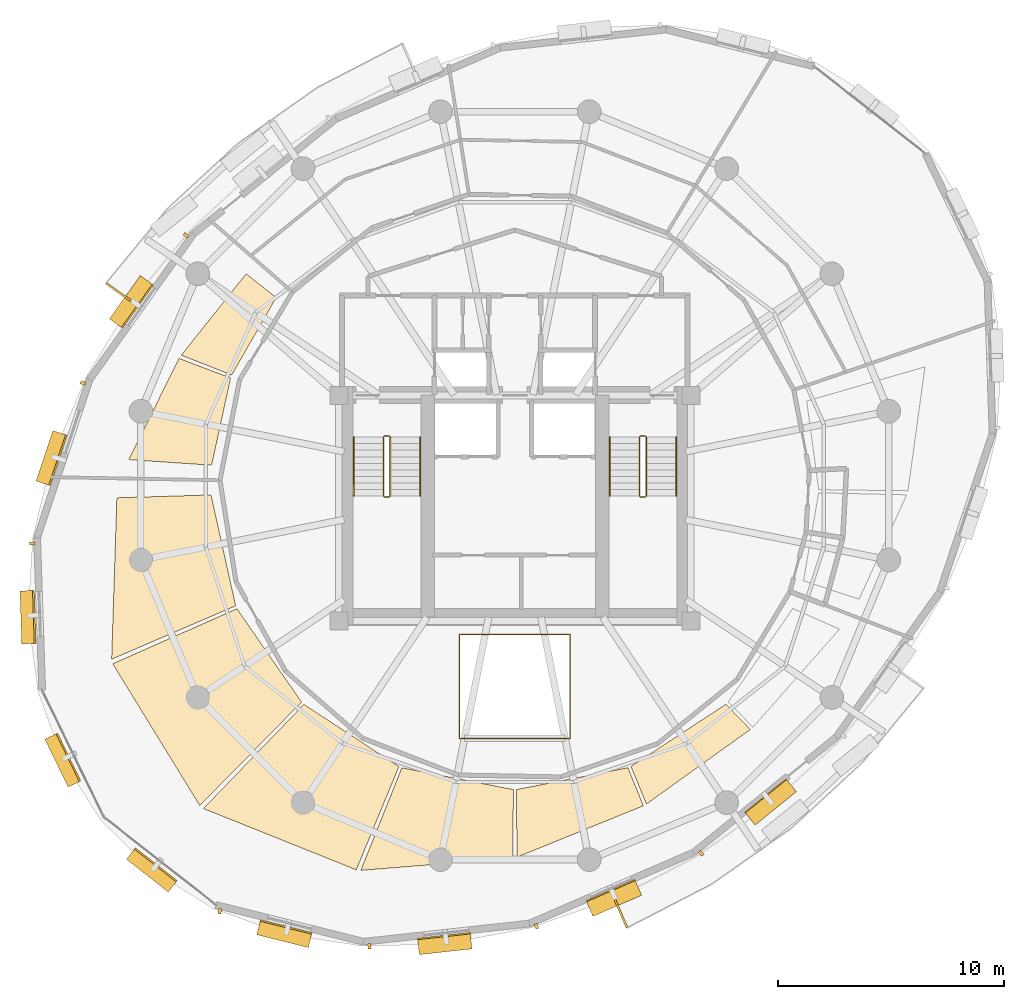
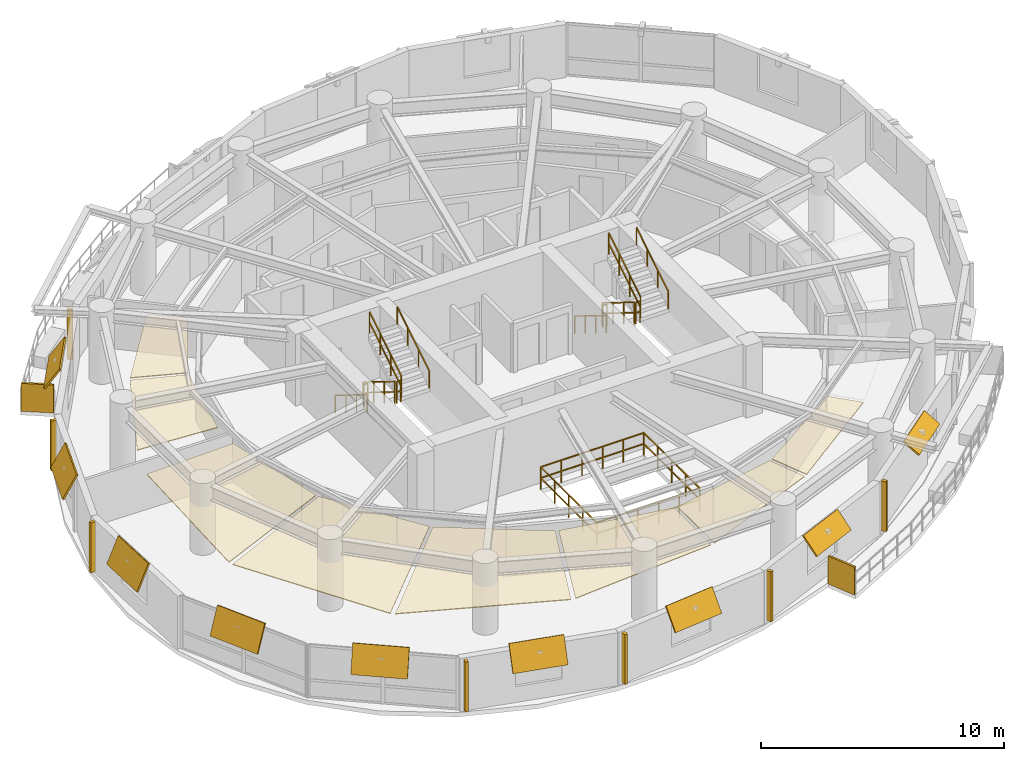
# One storey, part 11 of 12: 18 shading devices, 13 railings, 8 coverings.
"""IFC4 building model written with IfcOpenShell, lengths in metres."""

import ifcopenshell
import ifcopenshell.guid

model = None  # the IFC model being written
_history = None  # IfcOwnerHistory: only IFC2X3 demands one
_inside = {}  # id of a spatial element -> (the spatial element, [elements in it])
_under = {}  # id of a project, library or spatial element -> (it, [spatial elements below it])
_declared = {}  # id of a project -> (the project, [libraries it declares])
_typed = {}  # id of a type object -> (the type object, [elements of that type])
_made_of = {}  # id of a material, layer set ... -> (it, [elements and type objects made of it])


def new_model(schema):
    """Start an empty IFC model of exactly this schema.

    Asked for "IFC4X3", IfcOpenShell would pick the latest addendum, in which some entities
    have other attributes; the version numbers below select the first issue.
    IFC2X3 requires an IfcOwnerHistory on every rooted entity: one is made here for all.
    """
    global model, _history
    if schema == "IFC4X3":
        model = ifcopenshell.file(schema_version=(4, 3, 0, 0))
    else:
        model = ifcopenshell.file(schema=schema)
    _inside.clear()
    _under.clear()
    _declared.clear()
    _typed.clear()
    _made_of.clear()
    _history = None
    if model.schema == "IFC2X3":
        org = make("IfcOrganization", Name="unknown")
        user = make(
            "IfcPersonAndOrganization",
            ThePerson=make("IfcPerson", FamilyName="unknown"),
            TheOrganization=org,
        )
        app = make(
            "IfcApplication",
            ApplicationDeveloper=org,
            Version="unknown",
            ApplicationFullName="unknown",
            ApplicationIdentifier="unknown",
        )
        _history = make(
            "IfcOwnerHistory",
            OwningUser=user,
            OwningApplication=app,
            ChangeAction="ADDED",
            CreationDate=0,
        )
    return model


def make(cls, **values):
    """One entity of the class cls with the attributes given. An attribute that is None is left unset."""
    return model.create_entity(
        cls, **{name: value for name, value in values.items() if value is not None}
    )


def rooted(cls, **values):
    """An entity with a GlobalId (a new one), such as an element, a storey or a relation."""
    return make(cls, GlobalId=ifcopenshell.guid.new(), OwnerHistory=_history, **values)


def si_unit(unit_type, name, prefix=None):
    """IfcSIUnit, for example si_unit("LENGTHUNIT", "METRE", prefix="MILLI")."""
    return make("IfcSIUnit", UnitType=unit_type, Prefix=prefix, Name=name)


def assignment(units):
    """IfcUnitAssignment: the units of a project."""
    return None if units is None else make("IfcUnitAssignment", Units=units)


def point(xyz):
    """IfcCartesianPoint."""
    return None if xyz is None else make("IfcCartesianPoint", Coordinates=xyz)


def direction(xyz):
    """IfcDirection."""
    return None if xyz is None else make("IfcDirection", DirectionRatios=xyz)


def frame(location, z_axis=None, x_axis=None):
    """IfcAxis2Placement3D, a coordinate frame: its origin and axes. An axis left out is left unset."""
    return make(
        "IfcAxis2Placement3D",
        Location=point(location),
        Axis=direction(z_axis),
        RefDirection=direction(x_axis),
    )


def frame_2d(location, x_axis=None):
    """IfcAxis2Placement2D, a coordinate frame in the plane: its origin and x axis."""
    return make(
        "IfcAxis2Placement2D", Location=point(location), RefDirection=direction(x_axis)
    )


def origin():
    """The frame at (0, 0, 0) with its axes left unset."""
    return frame((0.0, 0.0, 0.0))


def origin_2d():
    """The frame at (0, 0) in the plane with its x axis left unset."""
    return frame_2d((0.0, 0.0))


def place(relative_to, where):
    """IfcLocalPlacement: puts the frame where relative to a parent placement (None: the world)."""
    return make(
        "IfcLocalPlacement", PlacementRelTo=relative_to, RelativePlacement=where
    )


def context(
    kind, dimensions, precision=None, world=None, true_north=None, identifier=None
):
    """IfcGeometricRepresentationContext, for example the 3D "Model" context."""
    return make(
        "IfcGeometricRepresentationContext",
        ContextIdentifier=identifier,
        ContextType=kind,
        CoordinateSpaceDimension=dimensions,
        Precision=precision,
        WorldCoordinateSystem=world,
        TrueNorth=true_north,
    )


def subcontext(parent, identifier, kind, view, scale=None):
    """IfcGeometricRepresentationSubContext, for example "Body" below "Model"."""
    return make(
        "IfcGeometricRepresentationSubContext",
        ContextIdentifier=identifier,
        ContextType=kind,
        ParentContext=parent,
        TargetScale=scale,
        TargetView=view,
    )


def project(units=None, contexts=None):
    """IfcProject with its units and contexts."""
    return rooted(
        "IfcProject",
        Name="project",
        RepresentationContexts=contexts,
        UnitsInContext=assignment(units),
    )


def spatial(cls, under=None, at=None, **own):
    """A site, building, storey or space (cls), placed at a placement, below another one or the project."""
    s = rooted(cls, ObjectPlacement=at, **own)
    if under is not None:
        _under.setdefault(under.id(), (under, []))[1].append(s)
    return s


def polyline(points):
    """IfcPolyline through the points."""
    return make("IfcPolyline", Points=[point(p) for p in points])


def profile(cls, at=None, kind="AREA", **sizes):
    """A parametric profile (cls). Its sizes go by their IFC names, for example OverallWidth=200.0."""
    return make(cls, ProfileType=kind, Position=at, **sizes)


def rectangle(**sizes):
    """IfcRectangleProfileDef."""
    return profile("IfcRectangleProfileDef", **sizes)


def outline(outer, holes=None, kind="AREA"):
    """IfcArbitraryClosedProfileDef: a profile drawn as a closed curve; with holes, ...WithVoids."""
    if holes is None:
        return make("IfcArbitraryClosedProfileDef", ProfileType=kind, OuterCurve=outer)
    return make(
        "IfcArbitraryProfileDefWithVoids",
        ProfileType=kind,
        OuterCurve=outer,
        InnerCurves=holes,
    )


def extrude(swept, where, along, depth):
    """IfcExtrudedAreaSolid: the profile swept, set in the frame where, extruded along a direction by depth."""
    return make(
        "IfcExtrudedAreaSolid",
        SweptArea=swept,
        Position=where,
        ExtrudedDirection=direction(along),
        Depth=depth,
    )


def shape(context_of_items, identifier, shape_type, items):
    """IfcShapeRepresentation: the items that make up one representation, for example the "Body"."""
    return make(
        "IfcShapeRepresentation",
        ContextOfItems=context_of_items,
        RepresentationIdentifier=identifier,
        RepresentationType=shape_type,
        Items=items,
    )


def material(Name=None, Category=None):
    """IfcMaterial."""
    return make("IfcMaterial", Name=Name, Category=Category)


def layer(
    of_material, thickness, ventilated=None, Name=None, Category=None, Priority=None
):
    """IfcMaterialLayer: one layer of a wall or slab, of a material (None: an air gap)."""
    return make(
        "IfcMaterialLayer",
        Material=of_material,
        LayerThickness=thickness,
        IsVentilated=ventilated,
        Name=Name,
        Category=Category,
        Priority=Priority,
    )


def layer_set(layers, Name=None):
    """IfcMaterialLayerSet."""
    return make("IfcMaterialLayerSet", MaterialLayers=layers, LayerSetName=Name)


def made_of(thing, what):
    """Note that an element or type object is made of a material, layer set ...; save() writes the relation."""
    if what is not None:
        _made_of.setdefault(what.id(), (what, []))[1].append(thing)
    return thing


def type_object(cls, material=None, **own):
    """A type object (cls), such as IfcWallType, which elements share."""
    return made_of(rooted(cls, **own), material)


def element(
    cls,
    number,
    at=None,
    inside=None,
    cuts=None,
    type_object=None,
    material=None,
    context=None,
    identifier="Body",
    shape_type=None,
    held_by="IfcProductDefinitionShape",
    body=None,
    shapes=None,
    **own,
):
    """One element of the class cls, such as IfcWall. Its Tag is "e" and its number.

    at: its placement. inside: the storey or other place that contains it. cuts: it is an
    opening in that element (IfcRelVoidsElement). A single representation is given by context,
    identifier, shape_type and body (its items); several are given by shapes. held_by: the class
    of the entity that holds the representations. save() writes the other relations.
    """
    e = rooted(cls, Tag="e%d" % number, ObjectPlacement=at, **own)
    if body is not None:
        shapes = [shape(context, identifier, shape_type, body)]
    if shapes is not None:
        e.Representation = make(held_by, Representations=shapes)
    if inside is not None:
        _inside.setdefault(inside.id(), (inside, []))[1].append(e)
    if cuts is not None:
        rooted(
            "IfcRelVoidsElement", RelatingBuildingElement=cuts, RelatedOpeningElement=e
        )
    if type_object is not None:
        _typed.setdefault(type_object.id(), (type_object, []))[1].append(e)
    return made_of(e, material)


def aggregate(whole, parts):
    """IfcRelAggregates: a whole, such as a stair, and the parts it consists of."""
    return rooted("IfcRelAggregates", RelatingObject=whole, RelatedObjects=parts)


def save(model, path):
    """Write the relations noted so far, then the file.

    IfcRelAggregates (storeys below a building ...), IfcRelContainedInSpatialStructure (elements
    in a storey), IfcRelDefinesByType, IfcRelAssociatesMaterial and IfcRelDeclares: one each for
    every whole, place, type object, material and project.
    """
    for whole, parts in _under.values():
        aggregate(whole, parts)
    for where, things in _inside.values():
        rooted(
            "IfcRelContainedInSpatialStructure",
            RelatedElements=things,
            RelatingStructure=where,
        )
    for kind, things in _typed.values():
        rooted("IfcRelDefinesByType", RelatedObjects=things, RelatingType=kind)
    for what, things in _made_of.values():
        rooted("IfcRelAssociatesMaterial", RelatedObjects=things, RelatingMaterial=what)
    for by, libraries in _declared.values():
        rooted("IfcRelDeclares", RelatingContext=by, RelatedDefinitions=libraries)
    model.write(path)


model = new_model("IFC4")

# Units and contexts
model_context = context("Model", 3, precision=1e-05, world=origin(), true_north=direction((0.0, 1.0)))
body_context = subcontext(model_context, "Body", "Model", "MODEL_VIEW")
ifc_project = project(units=[si_unit("LENGTHUNIT", "METRE"), si_unit("AREAUNIT", "SQUARE_METRE"), si_unit("VOLUMEUNIT", "CUBIC_METRE"), si_unit("PLANEANGLEUNIT", "RADIAN"), si_unit("MASSUNIT", "GRAM", prefix="KILO"), si_unit("THERMODYNAMICTEMPERATUREUNIT", "KELVIN"), si_unit("POWERUNIT", "WATT")], contexts=[model_context])

# Site, building, storey
site_placement = place(None, origin())
site = spatial("IfcSite", under=ifc_project, at=site_placement, CompositionType="ELEMENT")
building_placement = place(site_placement, origin())
building = spatial("IfcBuilding", under=site, at=building_placement, Name="Ocrelia Relay Tower", CompositionType="ELEMENT")
storey_placement = place(building_placement, frame((0.0, 0.0, 195.199951171875)))
storey = spatial("IfcBuildingStorey", under=building, at=storey_placement, Name="L47", CompositionType="ELEMENT", Elevation=195.199951171875)

# Coverings
ifc_material_1 = material(Name="Mineral-fiber acoustic ceiling tile", Category="gypsum")
ifc_layer_1 = layer(ifc_material_1, 0.0400390625, Name="Mineral-fiber acoustic ceiling tile")
ifc_layer_set_1 = layer_set([ifc_layer_1], Name="Mineral-fiber acoustic ceiling tile")
covering_type = type_object("IfcCoveringType", Name="COV-CEIL-ACOUSTIC", PredefinedType="CEILING", material=ifc_layer_set_1)
covering_1_placement = place(storey_placement, frame((0.0, 0.0, 2.380126953125)))
element("IfcCovering", 1, at=covering_1_placement, inside=storey, type_object=covering_type, Name="L47 Platform Office E Suspended Ceiling 1", PredefinedType="CEILING", context=body_context, shape_type="SweptSolid", body=[
    extrude(outline(polyline([(23.421875, 34.339111328125), (22.091796875, 35.3876953125), (19.212890625, 31.7802734375), (21.454345703125, 30.90380859375), (23.421875, 34.339111328125)])), origin(), (0.0, 0.0, 1.0), 0.0400390625),
])
covering_2_placement = place(storey_placement, frame((0.0, 0.0, 2.380126953125)))
element("IfcCovering", 2, at=covering_2_placement, inside=storey, type_object=covering_type, Name="L47 Platform Office E Suspended Ceiling 2", PredefinedType="CEILING", context=body_context, shape_type="SweptSolid", body=[
    extrude(outline(polyline([(21.40380859375, 30.772216796875), (19.1201171875, 31.637451171875), (16.8828125, 27.15185546875), (20.560302734375, 26.904296875), (21.40380859375, 30.772216796875)])), origin(), (0.0, 0.0, 1.0), 0.0400390625),
])
covering_3_placement = place(storey_placement, frame((0.0, 0.0, 2.380126953125)))
element("IfcCovering", 3, at=covering_3_placement, inside=storey, type_object=covering_type, Name="L47 Monitoring Office F Suspended Ceiling 1", PredefinedType="CEILING", context=body_context, shape_type="SweptSolid", body=[
    extrude(outline(polyline([(20.536376953125, 25.588623046875), (16.360107421875, 25.461181640625), (16.12939453125, 18.306396484375), (21.6279296875, 20.673583984375), (20.536376953125, 25.588623046875)])), origin(), (0.0, 0.0, 1.0), 0.0400390625),
])
covering_4_placement = place(storey_placement, frame((0.0, 0.0, 2.380126953125)))
element("IfcCovering", 4, at=covering_4_placement, inside=storey, type_object=covering_type, Name="L47 Monitoring Office F Suspended Ceiling 2", PredefinedType="CEILING", context=body_context, shape_type="SweptSolid", body=[
    extrude(outline(polyline([(21.684326171875, 20.544189453125), (16.17578125, 18.10400390625), (20.034912109375, 11.82080078125), (24.548095703125, 16.403076171875), (21.684326171875, 20.544189453125)])), origin(), (0.0, 0.0, 1.0), 0.0400390625),
])
covering_5_placement = place(storey_placement, frame((0.0, 0.0, 2.380126953125)))
element("IfcCovering", 5, at=covering_5_placement, inside=storey, type_object=covering_type, Name="L47 Monitoring Office F Suspended Ceiling 3", PredefinedType="CEILING", context=body_context, shape_type="SweptSolid", body=[
    extrude(outline(polyline([(24.64892578125, 16.3046875), (20.197265625, 11.68896484375), (26.97314453125, 8.969970703125), (28.8623046875, 13.54833984375), (24.64892578125, 16.3046875)])), origin(), (0.0, 0.0, 1.0), 0.0400390625),
])
covering_6_placement = place(storey_placement, frame((0.0, 0.0, 2.380126953125)))
element("IfcCovering", 6, at=covering_6_placement, inside=storey, type_object=covering_type, Name="L47 Monitoring Office F Suspended Ceiling 4", PredefinedType="CEILING", context=body_context, shape_type="SweptSolid", body=[
    extrude(outline(polyline([(28.992919921875, 13.4951171875), (27.171875, 8.947021484375), (33.919677734375, 9.486083984375), (33.9345703125, 12.5302734375), (28.992919921875, 13.4951171875)])), origin(), (0.0, 0.0, 1.0), 0.0400390625),
])
covering_7_placement = place(storey_placement, frame((0.0, 0.0, 2.380126953125)))
element("IfcCovering", 7, at=covering_7_placement, inside=storey, type_object=covering_type, Name="L47 Monitoring Office F Suspended Ceiling 5", PredefinedType="CEILING", context=body_context, shape_type="SweptSolid", body=[
    extrude(outline(polyline([(34.07568359375, 12.5302734375), (34.09228515625, 9.53076171875), (39.694580078125, 11.808349609375), (39.016357421875, 13.498779296875), (34.07568359375, 12.5302734375)])), origin(), (0.0, 0.0, 1.0), 0.0400390625),
])
covering_8_placement = place(storey_placement, frame((0.0, 0.0, 2.380126953125)))
element("IfcCovering", 8, at=covering_8_placement, inside=storey, type_object=covering_type, Name="L47 Monitoring Office F Suspended Ceiling 6", PredefinedType="CEILING", context=body_context, shape_type="SweptSolid", body=[
    extrude(outline(polyline([(39.14697265625, 13.552001953125), (39.835205078125, 11.887451171875), (44.43896484375, 15.19287109375), (43.3583984375, 16.311767578125), (39.14697265625, 13.552001953125)])), origin(), (0.0, 0.0, 1.0), 0.0400390625),
])

# Railings
ifc_material_2 = material(Name="Steel S355 atrium balustrade", Category="steel")
railing_type_1 = type_object("IfcRailingType", Name="RL-INT-GUARD-115", PredefinedType="GUARDRAIL", material=ifc_material_2)
railing_1_placement = place(storey_placement, frame((31.550048828125, 14.800048828125, 0.0)))
element("IfcRailing", 9, at=railing_1_placement, inside=storey, type_object=railing_type_1, Name="L47 Multi-Zone Interior Atrium Guard", PredefinedType="GUARDRAIL", context=body_context, shape_type="SweptSolid", body=[
    extrude(rectangle(XDim=0.048095703125, YDim=0.048095703125, at=origin_2d()), frame((0.0, 0.0, 1.1259765625), z_axis=(1.0, 0.0, 0.0), x_axis=(0.0, 1.0, 0.0)), (0.0, 0.0, 1.0), 4.89990234375),
    extrude(rectangle(XDim=0.048095703125, YDim=0.048095703125, at=origin_2d()), frame((0.0, 0.0, 0.574951171875), z_axis=(1.0, 0.0, 0.0), x_axis=(0.0, 1.0, 0.0)), (0.0, 0.0, 1.0), 4.89990234375),
    extrude(rectangle(XDim=0.048095703125, YDim=0.048095703125, at=origin_2d()), frame((4.89990234375, 0.0, 1.1259765625), z_axis=(0.0, 1.0, 0.0), x_axis=(-1.0, 0.0, 0.0)), (0.0, 0.0, 1.0), 4.599853515625),
    extrude(rectangle(XDim=0.048095703125, YDim=0.048095703125, at=origin_2d()), frame((4.89990234375, 0.0, 0.574951171875), z_axis=(0.0, 1.0, 0.0), x_axis=(-1.0, 0.0, 0.0)), (0.0, 0.0, 1.0), 4.599853515625),
    extrude(rectangle(XDim=0.048095703125, YDim=0.048095703125, at=origin_2d()), frame((4.89990234375, 4.599853515625, 1.1259765625), z_axis=(-1.0, 0.0, 0.0), x_axis=(0.0, -1.0, 0.0)), (0.0, 0.0, 1.0), 4.89990234375),
    extrude(rectangle(XDim=0.048095703125, YDim=0.048095703125, at=origin_2d()), frame((4.89990234375, 4.599853515625, 0.574951171875), z_axis=(-1.0, 0.0, 0.0), x_axis=(0.0, -1.0, 0.0)), (0.0, 0.0, 1.0), 4.89990234375),
    extrude(rectangle(XDim=0.048095703125, YDim=0.048095703125, at=origin_2d()), frame((0.0, 4.599853515625, 1.1259765625), z_axis=(0.0, -1.0, 0.0), x_axis=(1.0, 0.0, 0.0)), (0.0, 0.0, 1.0), 4.599853515625),
    extrude(rectangle(XDim=0.048095703125, YDim=0.048095703125, at=origin_2d()), frame((0.0, 4.599853515625, 0.574951171875), z_axis=(0.0, -1.0, 0.0), x_axis=(1.0, 0.0, 0.0)), (0.0, 0.0, 1.0), 4.599853515625),
    extrude(rectangle(XDim=0.0419921875, YDim=0.0419921875, at=origin_2d()), origin(), (0.0, 0.0, 1.0), 1.101806640625),
    extrude(rectangle(XDim=0.0419921875, YDim=0.0419921875, at=origin_2d()), frame((0.97998046875, 0.0, 0.0)), (0.0, 0.0, 1.0), 1.101806640625),
    extrude(rectangle(XDim=0.0419921875, YDim=0.0419921875, at=origin_2d()), frame((1.9599609375, 0.0, 0.0)), (0.0, 0.0, 1.0), 1.101806640625),
    extrude(rectangle(XDim=0.0419921875, YDim=0.0419921875, at=origin_2d()), frame((2.93994140625, 0.0, 0.0)), (0.0, 0.0, 1.0), 1.101806640625),
    extrude(rectangle(XDim=0.0419921875, YDim=0.0419921875, at=origin_2d()), frame((3.919921875, 0.0, 0.0)), (0.0, 0.0, 1.0), 1.101806640625),
    extrude(rectangle(XDim=0.0419921875, YDim=0.0419921875, at=origin_2d()), frame((4.89990234375, 0.0, 0.0)), (0.0, 0.0, 1.0), 1.101806640625),
    extrude(rectangle(XDim=0.0419921875, YDim=0.0419921875, at=origin_2d()), frame((4.89990234375, 1.14990234375, 0.0)), (0.0, 0.0, 1.0), 1.101806640625),
    extrude(rectangle(XDim=0.0419921875, YDim=0.0419921875, at=origin_2d()), frame((4.89990234375, 2.2998046875, 0.0)), (0.0, 0.0, 1.0), 1.101806640625),
    extrude(rectangle(XDim=0.0419921875, YDim=0.0419921875, at=origin_2d()), frame((4.89990234375, 3.449951171875, 0.0)), (0.0, 0.0, 1.0), 1.101806640625),
    extrude(rectangle(XDim=0.0419921875, YDim=0.0419921875, at=origin_2d()), frame((4.89990234375, 4.599853515625, 0.0)), (0.0, 0.0, 1.0), 1.101806640625),
    extrude(rectangle(XDim=0.0419921875, YDim=0.0419921875, at=origin_2d()), frame((3.919921875, 4.599853515625, 0.0)), (0.0, 0.0, 1.0), 1.101806640625),
    extrude(rectangle(XDim=0.0419921875, YDim=0.0419921875, at=origin_2d()), frame((2.93994140625, 4.599853515625, 0.0)), (0.0, 0.0, 1.0), 1.101806640625),
    extrude(rectangle(XDim=0.0419921875, YDim=0.0419921875, at=origin_2d()), frame((1.9599609375, 4.599853515625, 0.0)), (0.0, 0.0, 1.0), 1.101806640625),
    extrude(rectangle(XDim=0.0419921875, YDim=0.0419921875, at=origin_2d()), frame((0.97998046875, 4.599853515625, 0.0)), (0.0, 0.0, 1.0), 1.101806640625),
    extrude(rectangle(XDim=0.0419921875, YDim=0.0419921875, at=origin_2d()), frame((0.0, 4.599853515625, 0.0)), (0.0, 0.0, 1.0), 1.101806640625),
    extrude(rectangle(XDim=0.0419921875, YDim=0.0419921875, at=origin_2d()), frame((0.0, 3.449951171875, 0.0)), (0.0, 0.0, 1.0), 1.101806640625),
    extrude(rectangle(XDim=0.0419921875, YDim=0.0419921875, at=origin_2d()), frame((0.0, 2.2998046875, 0.0)), (0.0, 0.0, 1.0), 1.101806640625),
    extrude(rectangle(XDim=0.0419921875, YDim=0.0419921875, at=origin_2d()), frame((0.0, 1.14990234375, 0.0)), (0.0, 0.0, 1.0), 1.101806640625),
])
ifc_material_3 = material(Name="Steel S355 balustrade", Category="steel")
railing_type_2 = type_object("IfcRailingType", Name="RL-STAIR-GUARD", PredefinedType="GUARDRAIL", material=ifc_material_3)
railing_2_placement = place(storey_placement, frame((28.179931640625, 28.14990234375, 0.179931640625)))
element("IfcRailing", 10, at=railing_2_placement, inside=storey, type_object=railing_type_2, Name="L47 ST1 stair guard 1", PredefinedType="GUARDRAIL", context=body_context, shape_type="SweptSolid", body=[
    extrude(rectangle(XDim=0.048095703125, YDim=0.048095703125, at=origin_2d()), frame((0.0, 0.0, 1.076171875), z_axis=(0.0, -0.849610693518, 0.52741034258), x_axis=(1.0, 0.0, 0.0)), (0.0, 0.0, 1.0), 3.07177734375),
    extrude(rectangle(XDim=0.048095703125, YDim=0.048095703125, at=origin_2d()), frame((0.0, 0.0, 0.550048828125), z_axis=(0.0, -0.849610693518, 0.52741034258), x_axis=(1.0, 0.0, 0.0)), (0.0, 0.0, 1.0), 3.07177734375),
    extrude(rectangle(XDim=0.0419921875, YDim=0.0419921875, at=origin_2d()), origin(), (0.0, 0.0, 1.0), 1.052001953125),
    extrude(rectangle(XDim=0.0419921875, YDim=0.0419921875, at=origin_2d()), frame((0.0, -0.869873046875, 0.5400390625)), (0.0, 0.0, 1.0), 1.052001953125),
    extrude(rectangle(XDim=0.0419921875, YDim=0.0419921875, at=origin_2d()), frame((0.0, -1.739990234375, 1.080078125)), (0.0, 0.0, 1.0), 1.052001953125),
    extrude(rectangle(XDim=0.0419921875, YDim=0.0419921875, at=origin_2d()), frame((0.0, -2.60986328125, 1.6201171875)), (0.0, 0.0, 1.0), 1.052001953125),
])
railing_3_placement = place(storey_placement, frame((28.22998046875, 25.489990234375, 1.800048828125)))
element("IfcRailing", 11, at=railing_3_placement, inside=storey, type_object=railing_type_2, Name="L47 ST1 stair guard 2", PredefinedType="GUARDRAIL", context=body_context, shape_type="SweptSolid", body=[
    extrude(rectangle(XDim=0.048095703125, YDim=0.048095703125, at=origin_2d()), frame((0.0, 0.0, 1.076171875), z_axis=(1.0, 0.0, 0.0), x_axis=(0.0, 1.0, 0.0)), (0.0, 0.0, 1.0), 0.199951171875),
    extrude(rectangle(XDim=0.048095703125, YDim=0.048095703125, at=origin_2d()), frame((0.0, 0.0, 0.550048828125), z_axis=(1.0, 0.0, 0.0), x_axis=(0.0, 1.0, 0.0)), (0.0, 0.0, 1.0), 0.199951171875),
    extrude(rectangle(XDim=0.0419921875, YDim=0.0419921875, at=origin_2d()), origin(), (0.0, 0.0, 1.0), 1.052001953125),
    extrude(rectangle(XDim=0.0419921875, YDim=0.0419921875, at=origin_2d()), frame((0.199951171875, 0.0, 0.0)), (0.0, 0.0, 1.0), 1.052001953125),
])
railing_4_placement = place(storey_placement, frame((28.47998046875, 25.5400390625, 1.97998046875)))
element("IfcRailing", 12, at=railing_4_placement, inside=storey, type_object=railing_type_2, Name="L47 ST1 stair guard 3", PredefinedType="GUARDRAIL", context=body_context, shape_type="SweptSolid", body=[
    extrude(rectangle(XDim=0.048095703125, YDim=0.048095703125, at=origin_2d()), frame((0.0, 0.0, 1.076171875), z_axis=(0.0, 0.849610693518, 0.52741034258), x_axis=(-1.0, 0.0, 0.0)), (0.0, 0.0, 1.0), 3.07177734375),
    extrude(rectangle(XDim=0.048095703125, YDim=0.048095703125, at=origin_2d()), frame((0.0, 0.0, 0.550048828125), z_axis=(0.0, 0.849610693518, 0.52741034258), x_axis=(-1.0, 0.0, 0.0)), (0.0, 0.0, 1.0), 3.07177734375),
    extrude(rectangle(XDim=0.0419921875, YDim=0.0419921875, at=origin_2d()), origin(), (0.0, 0.0, 1.0), 1.052001953125),
    extrude(rectangle(XDim=0.0419921875, YDim=0.0419921875, at=origin_2d()), frame((0.0, 0.869873046875, 0.5400390625)), (0.0, 0.0, 1.0), 1.052001953125),
    extrude(rectangle(XDim=0.0419921875, YDim=0.0419921875, at=origin_2d()), frame((0.0, 1.739990234375, 1.080078125)), (0.0, 0.0, 1.0), 1.052001953125),
    extrude(rectangle(XDim=0.0419921875, YDim=0.0419921875, at=origin_2d()), frame((0.0, 2.60986328125, 1.6201171875)), (0.0, 0.0, 1.0), 1.052001953125),
])
railing_5_placement = place(storey_placement, frame((28.22998046875, 28.199951171875, 0.0)))
element("IfcRailing", 13, at=railing_5_placement, inside=storey, type_object=railing_type_2, Name="L47 ST1 stair guard 4", PredefinedType="GUARDRAIL", context=body_context, shape_type="SweptSolid", body=[
    extrude(rectangle(XDim=0.048095703125, YDim=0.048095703125, at=origin_2d()), frame((0.0, 0.0, 1.076171875), z_axis=(1.0, 0.0, 0.0), x_axis=(0.0, 1.0, 0.0)), (0.0, 0.0, 1.0), 0.199951171875),
    extrude(rectangle(XDim=0.048095703125, YDim=0.048095703125, at=origin_2d()), frame((0.0, 0.0, 0.550048828125), z_axis=(1.0, 0.0, 0.0), x_axis=(0.0, 1.0, 0.0)), (0.0, 0.0, 1.0), 0.199951171875),
    extrude(rectangle(XDim=0.0419921875, YDim=0.0419921875, at=origin_2d()), origin(), (0.0, 0.0, 1.0), 1.052001953125),
    extrude(rectangle(XDim=0.0419921875, YDim=0.0419921875, at=origin_2d()), frame((0.199951171875, 0.0, 0.0)), (0.0, 0.0, 1.0), 1.052001953125),
])
railing_6_placement = place(storey_placement, frame((39.530029296875, 28.14990234375, 0.179931640625)))
element("IfcRailing", 14, at=railing_6_placement, inside=storey, type_object=railing_type_2, Name="L47 ST2 stair guard 1", PredefinedType="GUARDRAIL", context=body_context, shape_type="SweptSolid", body=[
    extrude(rectangle(XDim=0.048095703125, YDim=0.048095703125, at=origin_2d()), frame((0.0, 0.0, 1.076171875), z_axis=(0.0, -0.849610693518, 0.52741034258), x_axis=(1.0, 0.0, 0.0)), (0.0, 0.0, 1.0), 3.07177734375),
    extrude(rectangle(XDim=0.048095703125, YDim=0.048095703125, at=origin_2d()), frame((0.0, 0.0, 0.550048828125), z_axis=(0.0, -0.849610693518, 0.52741034258), x_axis=(1.0, 0.0, 0.0)), (0.0, 0.0, 1.0), 3.07177734375),
    extrude(rectangle(XDim=0.0419921875, YDim=0.0419921875, at=origin_2d()), origin(), (0.0, 0.0, 1.0), 1.052001953125),
    extrude(rectangle(XDim=0.0419921875, YDim=0.0419921875, at=origin_2d()), frame((0.0, -0.869873046875, 0.5400390625)), (0.0, 0.0, 1.0), 1.052001953125),
    extrude(rectangle(XDim=0.0419921875, YDim=0.0419921875, at=origin_2d()), frame((0.0, -1.739990234375, 1.080078125)), (0.0, 0.0, 1.0), 1.052001953125),
    extrude(rectangle(XDim=0.0419921875, YDim=0.0419921875, at=origin_2d()), frame((0.0, -2.60986328125, 1.6201171875)), (0.0, 0.0, 1.0), 1.052001953125),
])
railing_7_placement = place(storey_placement, frame((39.580078125, 25.489990234375, 1.800048828125)))
element("IfcRailing", 15, at=railing_7_placement, inside=storey, type_object=railing_type_2, Name="L47 ST2 stair guard 2", PredefinedType="GUARDRAIL", context=body_context, shape_type="SweptSolid", body=[
    extrude(rectangle(XDim=0.048095703125, YDim=0.048095703125, at=origin_2d()), frame((0.0, 0.0, 1.076171875), z_axis=(1.0, 0.0, 0.0), x_axis=(0.0, 1.0, 0.0)), (0.0, 0.0, 1.0), 0.199951171875),
    extrude(rectangle(XDim=0.048095703125, YDim=0.048095703125, at=origin_2d()), frame((0.0, 0.0, 0.550048828125), z_axis=(1.0, 0.0, 0.0), x_axis=(0.0, 1.0, 0.0)), (0.0, 0.0, 1.0), 0.199951171875),
    extrude(rectangle(XDim=0.0419921875, YDim=0.0419921875, at=origin_2d()), origin(), (0.0, 0.0, 1.0), 1.052001953125),
    extrude(rectangle(XDim=0.0419921875, YDim=0.0419921875, at=origin_2d()), frame((0.199951171875, 0.0, 0.0)), (0.0, 0.0, 1.0), 1.052001953125),
])
railing_8_placement = place(storey_placement, frame((39.830078125, 25.5400390625, 1.97998046875)))
element("IfcRailing", 16, at=railing_8_placement, inside=storey, type_object=railing_type_2, Name="L47 ST2 stair guard 3", PredefinedType="GUARDRAIL", context=body_context, shape_type="SweptSolid", body=[
    extrude(rectangle(XDim=0.048095703125, YDim=0.048095703125, at=origin_2d()), frame((0.0, 0.0, 1.076171875), z_axis=(0.0, 0.849610693518, 0.52741034258), x_axis=(-1.0, 0.0, 0.0)), (0.0, 0.0, 1.0), 3.07177734375),
    extrude(rectangle(XDim=0.048095703125, YDim=0.048095703125, at=origin_2d()), frame((0.0, 0.0, 0.550048828125), z_axis=(0.0, 0.849610693518, 0.52741034258), x_axis=(-1.0, 0.0, 0.0)), (0.0, 0.0, 1.0), 3.07177734375),
    extrude(rectangle(XDim=0.0419921875, YDim=0.0419921875, at=origin_2d()), origin(), (0.0, 0.0, 1.0), 1.052001953125),
    extrude(rectangle(XDim=0.0419921875, YDim=0.0419921875, at=origin_2d()), frame((0.0, 0.869873046875, 0.5400390625)), (0.0, 0.0, 1.0), 1.052001953125),
    extrude(rectangle(XDim=0.0419921875, YDim=0.0419921875, at=origin_2d()), frame((0.0, 1.739990234375, 1.080078125)), (0.0, 0.0, 1.0), 1.052001953125),
    extrude(rectangle(XDim=0.0419921875, YDim=0.0419921875, at=origin_2d()), frame((0.0, 2.60986328125, 1.6201171875)), (0.0, 0.0, 1.0), 1.052001953125),
])
railing_9_placement = place(storey_placement, frame((39.580078125, 28.199951171875, 0.0)))
element("IfcRailing", 17, at=railing_9_placement, inside=storey, type_object=railing_type_2, Name="L47 ST2 stair guard 4", PredefinedType="GUARDRAIL", context=body_context, shape_type="SweptSolid", body=[
    extrude(rectangle(XDim=0.048095703125, YDim=0.048095703125, at=origin_2d()), frame((0.0, 0.0, 1.076171875), z_axis=(1.0, 0.0, 0.0), x_axis=(0.0, 1.0, 0.0)), (0.0, 0.0, 1.0), 0.199951171875),
    extrude(rectangle(XDim=0.048095703125, YDim=0.048095703125, at=origin_2d()), frame((0.0, 0.0, 0.550048828125), z_axis=(1.0, 0.0, 0.0), x_axis=(0.0, 1.0, 0.0)), (0.0, 0.0, 1.0), 0.199951171875),
    extrude(rectangle(XDim=0.0419921875, YDim=0.0419921875, at=origin_2d()), origin(), (0.0, 0.0, 1.0), 1.052001953125),
    extrude(rectangle(XDim=0.0419921875, YDim=0.0419921875, at=origin_2d()), frame((0.199951171875, 0.0, 0.0)), (0.0, 0.0, 1.0), 1.052001953125),
])
ifc_material_4 = material(Name="Steel S355 tubular handrail", Category="steel")
railing_type_3 = type_object("IfcRailingType", Name="RL-STAIR-HAND", PredefinedType="HANDRAIL", material=ifc_material_4)
railing_10_placement = place(storey_placement, frame((26.860107421875, 28.14990234375, 0.179931640625)))
element("IfcRailing", 18, at=railing_10_placement, inside=storey, type_object=railing_type_3, Name="L47 ST1 stair handrail 1", PredefinedType="HANDRAIL", context=body_context, shape_type="SweptSolid", body=[
    extrude(rectangle(XDim=0.048095703125, YDim=0.048095703125, at=origin_2d()), frame((0.0, 0.0, 0.8759765625), z_axis=(0.0, -0.849610693518, 0.52741034258), x_axis=(1.0, 0.0, 0.0)), (0.0, 0.0, 1.0), 3.07177734375),
    extrude(rectangle(XDim=0.0419921875, YDim=0.0419921875, at=origin_2d()), origin(), (0.0, 0.0, 1.0), 0.851806640625),
    extrude(rectangle(XDim=0.0419921875, YDim=0.0419921875, at=origin_2d()), frame((0.0, -0.869873046875, 0.5400390625)), (0.0, 0.0, 1.0), 0.851806640625),
    extrude(rectangle(XDim=0.0419921875, YDim=0.0419921875, at=origin_2d()), frame((0.0, -1.739990234375, 1.080078125)), (0.0, 0.0, 1.0), 0.851806640625),
    extrude(rectangle(XDim=0.0419921875, YDim=0.0419921875, at=origin_2d()), frame((0.0, -2.60986328125, 1.6201171875)), (0.0, 0.0, 1.0), 0.851806640625),
])
railing_11_placement = place(storey_placement, frame((29.800048828125, 25.5400390625, 1.97998046875)))
element("IfcRailing", 19, at=railing_11_placement, inside=storey, type_object=railing_type_3, Name="L47 ST1 stair handrail 2", PredefinedType="HANDRAIL", context=body_context, shape_type="SweptSolid", body=[
    extrude(rectangle(XDim=0.048095703125, YDim=0.048095703125, at=origin_2d()), frame((0.0, 0.0, 0.8759765625), z_axis=(0.0, 0.849610693518, 0.52741034258), x_axis=(-1.0, 0.0, 0.0)), (0.0, 0.0, 1.0), 3.07177734375),
    extrude(rectangle(XDim=0.0419921875, YDim=0.0419921875, at=origin_2d()), origin(), (0.0, 0.0, 1.0), 0.851806640625),
    extrude(rectangle(XDim=0.0419921875, YDim=0.0419921875, at=origin_2d()), frame((0.0, 0.869873046875, 0.5400390625)), (0.0, 0.0, 1.0), 0.851806640625),
    extrude(rectangle(XDim=0.0419921875, YDim=0.0419921875, at=origin_2d()), frame((0.0, 1.739990234375, 1.080078125)), (0.0, 0.0, 1.0), 0.851806640625),
    extrude(rectangle(XDim=0.0419921875, YDim=0.0419921875, at=origin_2d()), frame((0.0, 2.60986328125, 1.6201171875)), (0.0, 0.0, 1.0), 0.851806640625),
])
railing_12_placement = place(storey_placement, frame((38.2099609375, 28.14990234375, 0.179931640625)))
element("IfcRailing", 20, at=railing_12_placement, inside=storey, type_object=railing_type_3, Name="L47 ST2 stair handrail 1", PredefinedType="HANDRAIL", context=body_context, shape_type="SweptSolid", body=[
    extrude(rectangle(XDim=0.048095703125, YDim=0.048095703125, at=origin_2d()), frame((0.0, 0.0, 0.8759765625), z_axis=(0.0, -0.849610693518, 0.52741034258), x_axis=(1.0, 0.0, 0.0)), (0.0, 0.0, 1.0), 3.07177734375),
    extrude(rectangle(XDim=0.0419921875, YDim=0.0419921875, at=origin_2d()), origin(), (0.0, 0.0, 1.0), 0.851806640625),
    extrude(rectangle(XDim=0.0419921875, YDim=0.0419921875, at=origin_2d()), frame((0.0, -0.869873046875, 0.5400390625)), (0.0, 0.0, 1.0), 0.851806640625),
    extrude(rectangle(XDim=0.0419921875, YDim=0.0419921875, at=origin_2d()), frame((0.0, -1.739990234375, 1.080078125)), (0.0, 0.0, 1.0), 0.851806640625),
    extrude(rectangle(XDim=0.0419921875, YDim=0.0419921875, at=origin_2d()), frame((0.0, -2.60986328125, 1.6201171875)), (0.0, 0.0, 1.0), 0.851806640625),
])
railing_13_placement = place(storey_placement, frame((41.14990234375, 25.5400390625, 1.97998046875)))
element("IfcRailing", 21, at=railing_13_placement, inside=storey, type_object=railing_type_3, Name="L47 ST2 stair handrail 2", PredefinedType="HANDRAIL", context=body_context, shape_type="SweptSolid", body=[
    extrude(rectangle(XDim=0.048095703125, YDim=0.048095703125, at=origin_2d()), frame((0.0, 0.0, 0.8759765625), z_axis=(0.0, 0.849610693518, 0.52741034258), x_axis=(-1.0, 0.0, 0.0)), (0.0, 0.0, 1.0), 3.07177734375),
    extrude(rectangle(XDim=0.0419921875, YDim=0.0419921875, at=origin_2d()), origin(), (0.0, 0.0, 1.0), 0.851806640625),
    extrude(rectangle(XDim=0.0419921875, YDim=0.0419921875, at=origin_2d()), frame((0.0, 0.869873046875, 0.5400390625)), (0.0, 0.0, 1.0), 0.851806640625),
    extrude(rectangle(XDim=0.0419921875, YDim=0.0419921875, at=origin_2d()), frame((0.0, 1.739990234375, 1.080078125)), (0.0, 0.0, 1.0), 0.851806640625),
    extrude(rectangle(XDim=0.0419921875, YDim=0.0419921875, at=origin_2d()), frame((0.0, 2.60986328125, 1.6201171875)), (0.0, 0.0, 1.0), 0.851806640625),
])

# Shading devices
ifc_material_5 = material(Name="Perforated oxide terracotta solar screen", Category="masonry")
ifc_layer_2 = layer(ifc_material_5, 0.090087890625, Name="Perforated oxide terracotta solar screen")
ifc_layer_set_2 = layer_set([ifc_layer_2], Name="Perforated oxide terracotta solar screen")
shading_device_type_1 = type_object("IfcShadingDeviceType", Name="SH-BALC-SCREEN", PredefinedType="USERDEFINED", material=ifc_layer_set_2)
for number, where, z_axis, x_axis, name in (
    (22, (16.43798828125, 34.57421875, 0.0), (0.0, 0.0, 1.0), (-0.815084096539, 0.579342658165, 0.0), "L47 Balcony Perforated Terracotta Screen B1-2"),
    (23, (38.702392578125, 7.031005859375, 0.0), (0.0, 0.0, 1.0), (0.395624827278, -0.918412214663, 0.0), "L47 Balcony Perforated Terracotta Screen B2-1"),
):
    element("IfcShadingDevice", number, at=place(storey_placement, frame(where, z_axis=z_axis, x_axis=x_axis)), inside=storey, type_object=shading_device_type_1, Name=name, ObjectType="SCREEN", PredefinedType="USERDEFINED", context=body_context, shape_type="SweptSolid", body=[
        extrude(rectangle(XDim=1.340087890625, YDim=0.090087890625, at=origin_2d()), origin(), (0.0, 0.0, 1.0), 1.39990234375),
    ])
ifc_material_6 = material(Name="Extruded oxide terracotta vertical baguette", Category="masonry")
shading_device_type_2 = type_object("IfcShadingDeviceType", Name="SH-TERR-BAGUETTE", PredefinedType="USERDEFINED", material=ifc_material_6)
for number, where, z_axis, x_axis, name in (
    (24, (19.431640625, 37.093017578125, 0.080078125), (0.0, 0.0, 1.0), (-0.580582874638, -0.814201157993, 0.0), "L47 Oxide Terracotta Vertical Baguette 06"),
    (25, (14.862060546875, 30.545166015625, 0.080078125), (0.0, 0.0, 1.0), (-0.31490134324, -0.94912440914, 0.0), "L47 Oxide Terracotta Vertical Baguette 07"),
    (26, (12.6044921875, 23.431884765625, 0.080078125), (0.0, 0.0, 1.0), (0.033268921474, -0.999446436216, 0.0), "L47 Oxide Terracotta Vertical Baguette 08"),
    (27, (20.92529296875, 7.134521484375, 0.080078125), (0.0, 0.0, 1.0), (0.970268822899, -0.242029773602, 0.0), "L47 Oxide Terracotta Vertical Baguette 11"),
    (28, (27.55615234375, 5.580810546875, 0.080078125), (0.0, 0.0, 1.0), (0.994046667767, 0.108955138936, 0.0), "L47 Oxide Terracotta Vertical Baguette 12"),
    (29, (34.957763671875, 6.473388671875, 0.080078125), (0.0, 0.0, 1.0), (0.91781591783, 0.397006222846, 0.0), "L47 Oxide Terracotta Vertical Baguette 13"),
    (30, (42.2529296875, 9.708251953125, 0.080078125), (0.0, 0.0, 1.0), (0.777688264351, 0.628650112138, 0.0), "L47 Oxide Terracotta Vertical Baguette 14"),
):
    element("IfcShadingDevice", number, at=place(storey_placement, frame(where, z_axis=z_axis, x_axis=x_axis)), inside=storey, type_object=shading_device_type_2, Name=name, ObjectType="BAGUETTE", PredefinedType="USERDEFINED", context=body_context, shape_type="SweptSolid", body=[
        extrude(rectangle(XDim=0.139892578125, YDim=0.239990234375, at=origin_2d()), origin(), (0.0, 0.0, 1.0), 2.5),
    ])
ifc_material_7 = material(Name="Extruded oxide terracotta fin", Category="masonry")
ifc_layer_3 = layer(ifc_material_7, 0.080078125, Name="Extruded oxide terracotta fin")
ifc_layer_set_3 = layer_set([ifc_layer_3], Name="Extruded oxide terracotta fin")
shading_device_type_3 = type_object("IfcShadingDeviceType", Name="SH-VISOR-FIN-DEEP", PredefinedType="USERDEFINED", material=ifc_layer_set_3)
shading_device_1_placement = place(storey_placement, frame((17.0361328125, 34.123046875, 2.478271484375), z_axis=(-0.6846211463, 0.488183183302, 0.541268016402), x_axis=(-0.580582874638, -0.814201157993, 0.0)))
element("IfcShadingDevice", 31, at=shading_device_1_placement, inside=storey, type_object=shading_device_type_3, Name="L47 Canted Terracotta Sun-Visor Fin 06", ObjectType="FIN", PredefinedType="USERDEFINED", context=body_context, shape_type="SweptSolid", body=[
    extrude(rectangle(XDim=2.35009765625, YDim=1.2041015625, at=origin_2d()), origin(), (0.0, 0.0, 1.0), 0.080078125),
])
shading_device_2_placement = place(storey_placement, frame((13.50146484375, 27.2099609375, 2.48193359375), z_axis=(-0.846501737842, 0.2808531018, 0.45227905439), x_axis=(-0.31490134324, -0.94912440914, 0.0)))
element("IfcShadingDevice", 32, at=shading_device_2_placement, inside=storey, type_object=shading_device_type_3, Name="L47 Canted Terracotta Sun-Visor Fin 07", ObjectType="FIN", PredefinedType="USERDEFINED", context=body_context, shape_type="SweptSolid", body=[
    extrude(rectangle(XDim=2.35009765625, YDim=1.302001953125, at=origin_2d()), origin(), (0.0, 0.0, 1.0), 0.080078125),
])
shading_device_3_placement = place(storey_placement, frame((12.457275390625, 20.169921875, 2.4833984375), z_axis=(-0.910467559133, -0.030307050615, 0.412468552072), x_axis=(0.033268921474, -0.999446436216, 0.0)))
element("IfcShadingDevice", 33, at=shading_device_3_placement, inside=storey, type_object=shading_device_type_3, Name="L47 Canted Terracotta Sun-Visor Fin 08", ObjectType="FIN", PredefinedType="USERDEFINED", context=body_context, shape_type="SweptSolid", body=[
    extrude(rectangle(XDim=2.35009765625, YDim=1.343994140625, at=origin_2d()), origin(), (0.0, 0.0, 1.0), 0.080078125),
])
shading_device_4_placement = place(storey_placement, frame((14.0, 13.85107421875, 2.483642578125), z_axis=(-0.820408566482, -0.399593861375, 0.408967639299), x_axis=(0.437887621524, -0.89902971637, 0.0)))
element("IfcShadingDevice", 34, at=shading_device_4_placement, inside=storey, type_object=shading_device_type_3, Name="L47 Canted Terracotta Sun-Visor Fin 09", ObjectType="FIN", PredefinedType="USERDEFINED", context=body_context, shape_type="SweptSolid", body=[
    extrude(rectangle(XDim=2.35009765625, YDim=1.347900390625, at=origin_2d()), origin(), (0.0, 0.0, 1.0), 0.080078125),
])
shading_device_5_placement = place(storey_placement, frame((17.93310546875, 8.99560546875, 2.482666015625), z_axis=(-0.555668970833, -0.709442157794, 0.433501810375), x_axis=(0.787260762162, -0.616620217281, 0.0)))
element("IfcShadingDevice", 35, at=shading_device_5_placement, inside=storey, type_object=shading_device_type_3, Name="L47 Canted Terracotta Sun-Visor Fin 10", ObjectType="FIN", PredefinedType="USERDEFINED", context=body_context, shape_type="SweptSolid", body=[
    extrude(rectangle(XDim=2.35009765625, YDim=1.322021484375, at=origin_2d()), origin(), (0.0, 0.0, 1.0), 0.080078125),
])
shading_device_6_placement = place(storey_placement, frame((23.79345703125, 6.176025390625, 2.48046875), z_axis=(-0.21162254247, -0.848369818824, 0.485267503577), x_axis=(0.970268822899, -0.242029773602, 0.0)))
element("IfcShadingDevice", 36, at=shading_device_6_placement, inside=storey, type_object=shading_device_type_3, Name="L47 Canted Terracotta Sun-Visor Fin 11", ObjectType="FIN", PredefinedType="USERDEFINED", context=body_context, shape_type="SweptSolid", body=[
    extrude(rectangle(XDim=2.35009765625, YDim=1.26611328125, at=origin_2d()), origin(), (0.0, 0.0, 1.0), 0.080078125),
])
shading_device_7_placement = place(storey_placement, frame((30.891845703125, 5.736328125, 2.477294921875), z_axis=(0.089587642418, -0.817348298473, 0.569136023557), x_axis=(0.994046667767, 0.108955138936, 0.0)))
element("IfcShadingDevice", 37, at=shading_device_7_placement, inside=storey, type_object=shading_device_type_3, Name="L47 Canted Terracotta Sun-Visor Fin 12", ObjectType="FIN", PredefinedType="USERDEFINED", context=body_context, shape_type="SweptSolid", body=[
    extrude(rectangle(XDim=2.35009765625, YDim=1.172119140625, at=origin_2d()), origin(), (0.0, 0.0, 1.0), 0.080078125),
])
ifc_layer_4 = layer(ifc_material_7, 0.080078125, Name="Extruded oxide terracotta fin")
ifc_layer_set_4 = layer_set([ifc_layer_4], Name="Extruded oxide terracotta fin")
shading_device_type_4 = type_object("IfcShadingDeviceType", Name="SH-VISOR-FIN-MED", PredefinedType="USERDEFINED", material=ifc_layer_set_4)
shading_device_8_placement = place(storey_placement, frame((38.377197265625, 7.753662109375, 2.47265625), z_axis=(0.289310198278, -0.668839655123, 0.684801522272), x_axis=(0.91781591783, 0.397006222846, 0.0)))
element("IfcShadingDevice", 38, at=shading_device_8_placement, inside=storey, type_object=shading_device_type_4, Name="L47 Canted Terracotta Sun-Visor Fin 13", ObjectType="FIN", PredefinedType="USERDEFINED", context=body_context, shape_type="SweptSolid", body=[
    extrude(rectangle(XDim=2.35009765625, YDim=1.030029296875, at=origin_2d()), origin(), (0.0, 0.0, 1.0), 0.080078125),
])
shading_device_9_placement = place(storey_placement, frame((45.31787109375, 11.998779296875, 2.4677734375), z_axis=(0.371372853324, -0.459416620076, 0.806857219719), x_axis=(0.777688264351, 0.628650112138, 0.0)))
element("IfcShadingDevice", 39, at=shading_device_9_placement, inside=storey, type_object=shading_device_type_4, Name="L47 Canted Terracotta Sun-Visor Fin 14", ObjectType="FIN", PredefinedType="USERDEFINED", context=body_context, shape_type="SweptSolid", body=[
    extrude(rectangle(XDim=2.35009765625, YDim=0.85400390625, at=origin_2d()), origin(), (0.0, 0.0, 1.0), 0.080078125),
])

save(model, "model.ifc")
